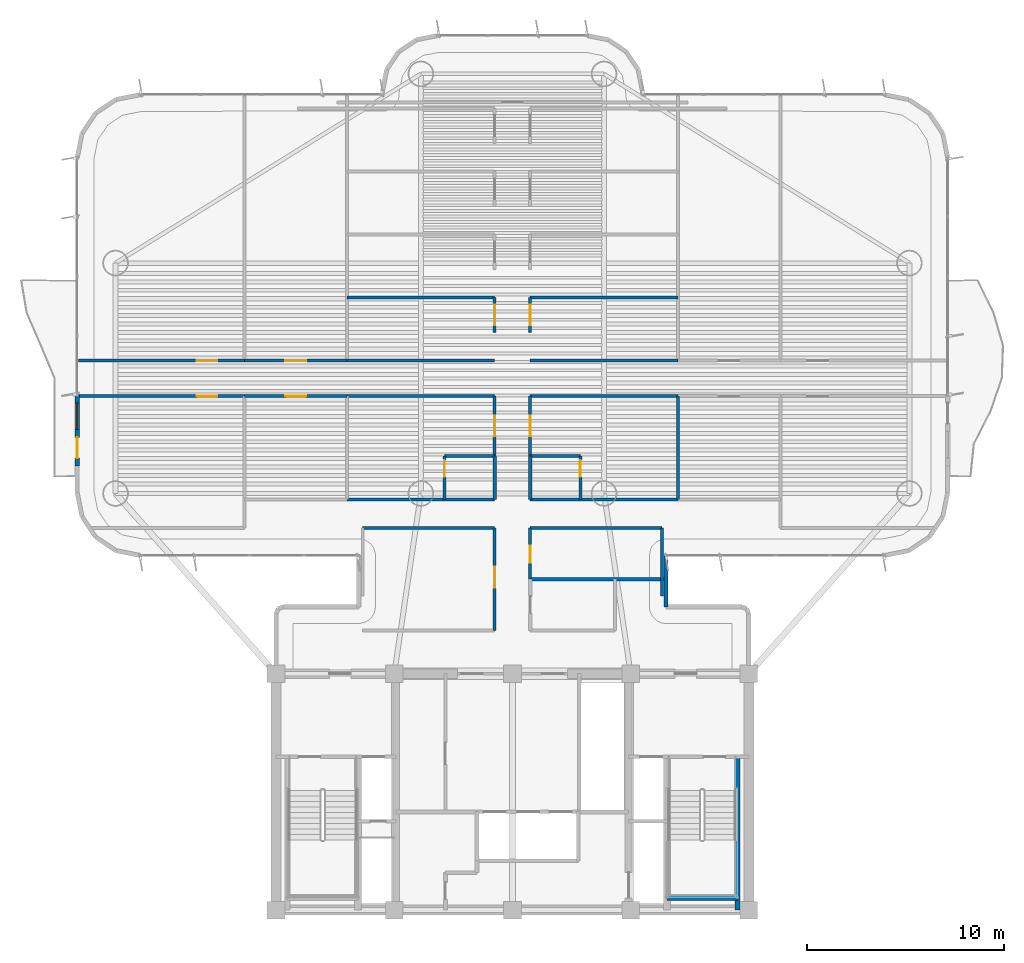
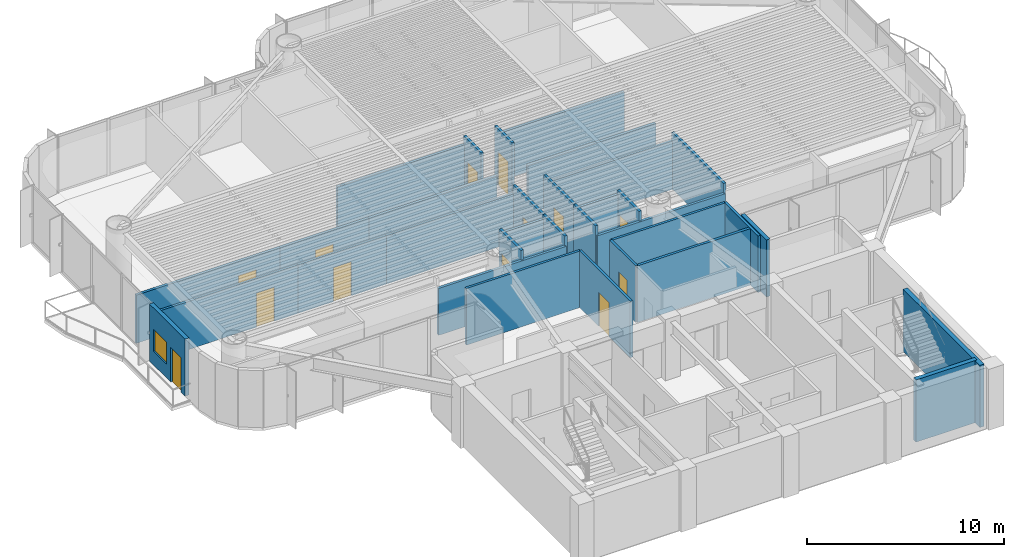
# One storey, part 10 of 16: 33 walls, 13 doors, 1 window, 14 openings.
"""IFC4 building model written with IfcOpenShell, lengths in metres."""

from ifc_helpers import new_model, si_unit, direction, frame, frame_2d, origin, origin_2d, place, context, subcontext, project, spatial, rectangle, extrude, source, transform, mapped, material, layer, layer_set, type_object, element, fill, save


model = new_model("IFC4")

# Units and contexts
model_context = context("Model", 3, precision=1e-05, world=origin(), true_north=direction((0.0, 1.0)))
body_context = subcontext(model_context, "Body", "Model", "MODEL_VIEW")
ifc_project = project(units=[si_unit("LENGTHUNIT", "METRE"), si_unit("AREAUNIT", "SQUARE_METRE"), si_unit("VOLUMEUNIT", "CUBIC_METRE"), si_unit("PLANEANGLEUNIT", "RADIAN"), si_unit("MASSUNIT", "GRAM", prefix="KILO")], contexts=[model_context])

# Site, building, storey
site_placement = place(None, origin())
site = spatial("IfcSite", under=ifc_project, at=site_placement, CompositionType="ELEMENT")
building_placement = place(site_placement, origin())
building = spatial("IfcBuilding", under=site, at=building_placement, Name="Brelvock Crest Care Tower", CompositionType="ELEMENT")
storey_placement = place(building_placement, frame((0.0, 0.0, 104.93994140625)))
storey = spatial("IfcBuildingStorey", under=building, at=storey_placement, Name="L26", CompositionType="ELEMENT", Elevation=104.93994140625)

# Walls
ifc_material_1 = material(Name="Concrete S80 (80 MPa)", Category="concrete")
ifc_layer_1 = layer(ifc_material_1, 0.25, Name="WL-CS6")
ifc_layer_set_1 = layer_set([ifc_layer_1], Name="Concrete S80 (80 MPa)")
wall_type_1 = type_object("IfcWallType", Name="WL-CS6", PredefinedType="SHEAR", material=ifc_layer_set_1)
wall_1_placement = place(storey_placement, frame((47.419921875, 6.0, 0.0), z_axis=(0.0, 0.0, 1.0), x_axis=(0.0, 1.0, 0.0)))
element("IfcWall", 1, at=wall_1_placement, inside=storey, type_object=wall_type_1, Name="L26 Core Stair ST-2 East Shear Wall", PredefinedType="SHEAR", context=body_context, shape_type="SweptSolid", body=[
    extrude(rectangle(XDim=7.780029296875, YDim=0.25, at=frame_2d((3.89013671875, 0.0))), origin(), (0.0, 0.0, 1.0), 3.85009765625),
])
wall_2_placement = place(storey_placement, frame((43.85009765625, 6.6201171875, 0.0), z_axis=(0.0, 0.0, 1.0), x_axis=(1.0, 0.0, 0.0)))
element("IfcWall", 2, at=wall_2_placement, inside=storey, type_object=wall_type_1, Name="L26 Core Stair ST-2 South Shear Wall", PredefinedType="SHEAR", context=body_context, shape_type="SweptSolid", body=[
    extrude(rectangle(XDim=3.56982421875, YDim=0.25, at=frame_2d((1.784912109375, 0.0))), origin(), (0.0, 0.0, 1.0), 3.85009765625),
])

# Wall, openings, door, window
ifc_material_2 = material(Name="Precast concrete N40 (40 MPa)", Category="concrete")
ifc_layer_2 = layer(ifc_material_2, 0.239990234375, Name="WL-EX1")
ifc_layer_set_2 = layer_set([ifc_layer_2], Name="Precast concrete N40 (40 MPa)")
wall_type_2 = type_object("IfcWallType", Name="WL-EX1", PredefinedType="SOLIDWALL", material=ifc_layer_set_2)
wall_3_placement = place(storey_placement, frame((13.89990234375, 28.550048828125, 0.0), z_axis=(0.0, 0.0, 1.0), x_axis=(0.0, 1.0, 0.0)))
wall_3 = element("IfcWall", 3, at=wall_3_placement, inside=storey, type_object=wall_type_2, Name="L26 Exterior Spandrel Wall WL-BAL-L26-W", PredefinedType="SOLIDWALL", context=body_context, shape_type="SweptSolid", body=[
    extrude(rectangle(XDim=3.599853515625, YDim=0.239990234375, at=frame_2d((1.7998046875, 0.0))), origin(), (0.0, 0.0, 1.0), 3.530029296875),
])
opening_1_placement = place(wall_3_placement, frame((0.39990234375, 0.0, 0.0)))
opening_1 = element("IfcOpeningElement", 4, at=opening_1_placement, cuts=wall_3, Name="Opening BD-1", PredefinedType="OPENING", context=body_context, shape_type="SweptSolid", body=[
    extrude(rectangle(XDim=1.050048828125, YDim=2.14990234375, at=origin_2d()), frame((0.52490234375, 0.1298828125, 1.074951171875), z_axis=(0.0, -1.0, 0.0), x_axis=(1.0, 0.0, 0.0)), (0.0, 0.0, 1.0), 0.260009765625),
])
opening_2_placement = place(wall_3_placement, frame((1.85009765625, 0.0, 0.85009765625)))
opening_2 = element("IfcOpeningElement", 5, at=opening_2_placement, cuts=wall_3, Name="Opening W-01", PredefinedType="OPENING", context=body_context, shape_type="SweptSolid", body=[
    extrude(rectangle(XDim=1.35009765625, YDim=1.35009765625, at=origin_2d()), frame((0.675048828125, 0.1298828125, 0.675048828125), z_axis=(0.0, -1.0, 0.0), x_axis=(1.0, 0.0, 0.0)), (0.0, 0.0, 1.0), 0.260009765625),
])
ifc_material_3 = material(Name="Dark Glass Double Glazed Low-E", Category="glass")
door_type_1 = type_object("IfcDoorType", Name="DR-BAL1", OperationType="NOTDEFINED", PredefinedType="DOOR", material=ifc_material_3)
shared_shape_1 = source(origin(), body_context, "Body", "SweptSolid", [
    extrude(rectangle(XDim=1.050048828125, YDim=2.14990234375, at=origin_2d()), frame((0.52490234375, 0.02490234375, 1.074951171875), z_axis=(0.0, -1.0, 0.0), x_axis=(1.0, 0.0, 0.0)), (0.0, 0.0, 1.0), 0.050048828125),
])
door_1_placement = place(opening_1_placement, origin())
door_1 = element("IfcDoor", 6, at=door_1_placement, inside=storey, type_object=door_type_1, Name="L26 W Wave Balcony Glazed Door", OperationType="SINGLE_SWING_LEFT", OverallHeight=2.14990234375, OverallWidth=1.050048828125, PredefinedType="DOOR", context=body_context, shape_type="MappedRepresentation", body=[
    mapped(shared_shape_1, transform((0.0, 0.0, 0.0), x_axis=(1.0, 0.0, 0.0), y_axis=(0.0, 1.0, 0.0), z_axis=(0.0, 0.0, 1.0), scale=1.0)),
])
fill(opening_1, door_1)
window_type = type_object("IfcWindowType", Name="WN-EX1", PartitioningType="SINGLE_PANEL", PredefinedType="WINDOW", material=ifc_material_3)
shared_shape_2 = source(origin(), body_context, "Body", "SweptSolid", [
    extrude(rectangle(XDim=1.35009765625, YDim=1.35009765625, at=origin_2d()), frame((0.675048828125, 0.030029296875, 0.675048828125), z_axis=(0.0, -1.0, 0.0), x_axis=(1.0, 0.0, 0.0)), (0.0, 0.0, 1.0), 0.06005859375),
])
window_placement = place(opening_2_placement, origin())
window = element("IfcWindow", 7, at=window_placement, inside=storey, type_object=window_type, Name="L26 W Suite Casement Window", OverallHeight=1.35009765625, OverallWidth=1.35009765625, PartitioningType="SINGLE_PANEL", PredefinedType="WINDOW", context=body_context, shape_type="MappedRepresentation", body=[
    mapped(shared_shape_2, transform((0.0, 0.0, 0.0), x_axis=(1.0, 0.0, 0.0), y_axis=(0.0, 1.0, 0.0), z_axis=(0.0, 0.0, 1.0), scale=1.0)),
])
fill(opening_2, window)

# Walls
ifc_layer_3 = layer(ifc_material_2, 0.215087890625, Name="WL-EX2")
ifc_layer_set_3 = layer_set([ifc_layer_3], Name="Precast concrete N40 (40 MPa)")
wall_type_3 = type_object("IfcWallType", Name="WL-EX2", PredefinedType="SOLIDWALL", material=ifc_layer_set_3)
wall_4_placement = place(storey_placement, frame((43.800048828125, 24.0, 0.0), z_axis=(0.0, 0.0, 1.0), x_axis=(0.0, -1.0, 0.0)))
element("IfcWall", 8, at=wall_4_placement, inside=storey, type_object=wall_type_3, Name="L26 Rounded Corner Wall 45", PredefinedType="SOLIDWALL", context=body_context, shape_type="SweptSolid", body=[
    extrude(rectangle(XDim=2.60009765625, YDim=0.215087890625, at=frame_2d((1.300048828125, 0.0))), origin(), (0.0, 0.0, 1.0), 3.530029296875),
])
ifc_material_4 = material(Name="Masonry Blockwork Acoustic Partition", Category="masonry")
ifc_layer_4 = layer(ifc_material_4, 0.14990234375, Name="WL-INT1")
ifc_layer_set_4 = layer_set([ifc_layer_4], Name="Masonry Blockwork Acoustic Partition")
wall_type_4 = type_object("IfcWallType", Name="WL-INT1", PredefinedType="PARTITIONING", material=ifc_layer_set_4)
for number, where, z_axis, x_axis, name in (
    (9, (28.39990234375, 25.39990234375, 0.0), (0.0, 0.0, 1.0), (1.0, 0.0, 0.0), "L26 Interior Wall WL-BX-L26-THW-N"),
    (10, (36.89990234375, 25.39990234375, 0.0), (0.0, 0.0, 1.0), (1.0, 0.0, 0.0), "L26 Interior Wall WL-BX-L26-THE2-N"),
):
    element("IfcWall", number, at=place(storey_placement, frame(where, z_axis=z_axis, x_axis=x_axis)), inside=storey, type_object=wall_type_4, Name=name, PredefinedType="PARTITIONING", context=body_context, shape_type="SweptSolid", body=[
        extrude(rectangle(XDim=6.7001953125, YDim=0.14990234375, at=frame_2d((3.35009765625, 0.0))), origin(), (0.0, 0.0, 1.0), 3.5),
    ])
for number, where, z_axis, x_axis, name in (
    (11, (27.60009765625, 26.85009765625, 0.0), (0.0, 0.0, 1.0), (1.0, 0.0, 0.0), "L26 Interior Wall WL-BX-L26-CS-ISWC-S"),
    (12, (36.89990234375, 26.85009765625, 0.0), (0.0, 0.0, 1.0), (1.0, 0.0, 0.0), "L26 Interior Wall WL-BX-L26-CS-ISEC-S"),
):
    element("IfcWall", number, at=place(storey_placement, frame(where, z_axis=z_axis, x_axis=x_axis)), inside=storey, type_object=wall_type_4, Name=name, PredefinedType="PARTITIONING", context=body_context, shape_type="SweptSolid", body=[
        extrude(rectangle(XDim=7.5, YDim=0.14990234375, at=frame_2d((3.75, 0.0))), origin(), (0.0, 0.0, 1.0), 2.903076171875),
    ])

# Wall, opening, door
wall_5_placement = place(storey_placement, frame((13.97998046875, 32.10009765625, 0.0), z_axis=(0.0, 0.0, 1.0), x_axis=(1.0, 0.0, 0.0)))
wall_5 = element("IfcWall", 13, at=wall_5_placement, inside=storey, type_object=wall_type_4, Name="L26 Interior Wall WL-RM-L26-SWB", PredefinedType="PARTITIONING", context=body_context, shape_type="SweptSolid", body=[
    extrude(rectangle(XDim=8.419921875, YDim=0.14990234375, at=frame_2d((4.2099609375, 0.0))), origin(), (0.0, 0.0, 1.0), 2.982177734375),
])
opening_3_placement = place(wall_5_placement, frame((5.9951171875, 0.0, 0.0)))
opening_3 = element("IfcOpeningElement", 14, at=opening_3_placement, cuts=wall_5, Name="Opening CD-1", PredefinedType="OPENING", context=body_context, shape_type="SweptSolid", body=[
    extrude(rectangle(XDim=1.050048828125, YDim=2.10009765625, at=origin_2d()), frame((0.52490234375, 0.0849609375, 1.050048828125), z_axis=(0.0, -1.0, 0.0), x_axis=(1.0, 0.0, 0.0)), (0.0, 0.0, 1.0), 0.169921875),
])
ifc_material_5 = material(Name="Engineered Hardwood Timber", Category="wood")
door_type_2 = type_object("IfcDoorType", Name="DR-CARE1", OperationType="NOTDEFINED", PredefinedType="DOOR", material=ifc_material_5)
shared_shape_3 = source(origin(), body_context, "Body", "SweptSolid", [
    extrude(rectangle(XDim=1.050048828125, YDim=2.10009765625, at=origin_2d()), frame((0.52490234375, 0.02490234375, 1.050048828125), z_axis=(0.0, -1.0, 0.0), x_axis=(1.0, 0.0, 0.0)), (0.0, 0.0, 1.0), 0.050048828125),
])
door_2_placement = place(opening_3_placement, origin())
door_2 = element("IfcDoor", 15, at=door_2_placement, inside=storey, type_object=door_type_2, Name="L26 Assisted Care Therapy Hall Door SWB", OperationType="SINGLE_SWING_LEFT", OverallHeight=2.10009765625, OverallWidth=1.050048828125, PredefinedType="DOOR", context=body_context, shape_type="MappedRepresentation", body=[
    mapped(shared_shape_3, transform((0.0, 0.0, 0.0), x_axis=(1.0, 0.0, 0.0), y_axis=(0.0, 1.0, 0.0), z_axis=(0.0, 0.0, 1.0), scale=1.0)),
])
fill(opening_3, door_2)

wall_6_placement = place(storey_placement, frame((22.39990234375, 32.10009765625, 0.0), z_axis=(0.0, 0.0, 1.0), x_axis=(1.0, 0.0, 0.0)))
wall_6 = element("IfcWall", 16, at=wall_6_placement, inside=storey, type_object=wall_type_4, Name="L26 Interior Wall WL-RM-L26-ISWD", PredefinedType="PARTITIONING", context=body_context, shape_type="SweptSolid", body=[
    extrude(rectangle(XDim=5.2001953125, YDim=0.14990234375, at=frame_2d((2.60009765625, 0.0))), origin(), (0.0, 0.0, 1.0), 2.982177734375),
])
opening_4_placement = place(wall_6_placement, frame((2.074951171875, 0.0, 0.0)))
opening_4 = element("IfcOpeningElement", 17, at=opening_4_placement, cuts=wall_6, Name="Opening CLD-1", PredefinedType="OPENING", context=body_context, shape_type="SweptSolid", body=[
    extrude(rectangle(XDim=1.050048828125, YDim=2.10009765625, at=origin_2d()), frame((0.52490234375, 0.0849609375, 1.050048828125), z_axis=(0.0, -1.0, 0.0), x_axis=(1.0, 0.0, 0.0)), (0.0, 0.0, 1.0), 0.169921875),
])
door_type_3 = type_object("IfcDoorType", Name="DR-CLN1", OperationType="NOTDEFINED", PredefinedType="DOOR", material=ifc_material_5)
shared_shape_4 = source(origin(), body_context, "Body", "SweptSolid", [
    extrude(rectangle(XDim=1.050048828125, YDim=2.10009765625, at=origin_2d()), frame((0.52490234375, 0.02490234375, 1.050048828125), z_axis=(0.0, -1.0, 0.0), x_axis=(1.0, 0.0, 0.0)), (0.0, 0.0, 1.0), 0.050048828125),
])
door_3_placement = place(opening_4_placement, origin())
door_3 = element("IfcDoor", 18, at=door_3_placement, inside=storey, type_object=door_type_3, Name="L26 Memory Care Activity Salon Door ISWD", OperationType="SINGLE_SWING_LEFT", OverallHeight=2.10009765625, OverallWidth=1.050048828125, PredefinedType="DOOR", context=body_context, shape_type="MappedRepresentation", body=[
    mapped(shared_shape_4, transform((0.0, 0.0, 0.0), x_axis=(1.0, 0.0, 0.0), y_axis=(0.0, 1.0, 0.0), z_axis=(0.0, 0.0, 1.0), scale=1.0)),
])
fill(opening_4, door_3)

# Walls
for number, where, z_axis, x_axis, name in (
    (19, (27.60009765625, 32.10009765625, 0.0), (0.0, 0.0, 1.0), (1.0, 0.0, 0.0), "L26 Interior Wall WL-BX-L26-CS-ISWC-N"),
    (20, (36.89990234375, 32.10009765625, 0.0), (0.0, 0.0, 1.0), (1.0, 0.0, 0.0), "L26 Interior Wall WL-BX-L26-CS-ISEC-N"),
):
    element("IfcWall", number, at=place(storey_placement, frame(where, z_axis=z_axis, x_axis=x_axis)), inside=storey, type_object=wall_type_4, Name=name, PredefinedType="PARTITIONING", context=body_context, shape_type="SweptSolid", body=[
        extrude(rectangle(XDim=7.5, YDim=0.14990234375, at=frame_2d((3.75, 0.0))), origin(), (0.0, 0.0, 1.0), 2.982177734375),
    ])

# Wall, opening, door
wall_7_placement = place(storey_placement, frame((13.97998046875, 33.89990234375, 0.0), z_axis=(0.0, 0.0, 1.0), x_axis=(1.0, 0.0, 0.0)))
wall_7 = element("IfcWall", 21, at=wall_7_placement, inside=storey, type_object=wall_type_4, Name="L26 Interior Wall WL-RM-L26-NWB", PredefinedType="PARTITIONING", context=body_context, shape_type="SweptSolid", body=[
    extrude(rectangle(XDim=8.419921875, YDim=0.14990234375, at=frame_2d((4.2099609375, 0.0))), origin(), (0.0, 0.0, 1.0), 2.982177734375),
])
opening_5_placement = place(wall_7_placement, frame((5.9951171875, 0.0, 0.0)))
opening_5 = element("IfcOpeningElement", 22, at=opening_5_placement, cuts=wall_7, Name="Opening CD-1", PredefinedType="OPENING", context=body_context, shape_type="SweptSolid", body=[
    extrude(rectangle(XDim=1.050048828125, YDim=2.10009765625, at=origin_2d()), frame((0.52490234375, 0.0849609375, 1.050048828125), z_axis=(0.0, -1.0, 0.0), x_axis=(1.0, 0.0, 0.0)), (0.0, 0.0, 1.0), 0.169921875),
])
door_4_placement = place(opening_5_placement, origin())
door_4 = element("IfcDoor", 23, at=door_4_placement, inside=storey, type_object=door_type_2, Name="L26 Assisted Care Therapy Hall Door NWB", OperationType="SINGLE_SWING_LEFT", OverallHeight=2.10009765625, OverallWidth=1.050048828125, PredefinedType="DOOR", context=body_context, shape_type="MappedRepresentation", body=[
    mapped(shared_shape_3, transform((0.0, 0.0, 0.0), x_axis=(1.0, 0.0, 0.0), y_axis=(0.0, 1.0, 0.0), z_axis=(0.0, 0.0, 1.0), scale=1.0)),
])
fill(opening_5, door_4)

wall_8_placement = place(storey_placement, frame((22.39990234375, 33.89990234375, 0.0), z_axis=(0.0, 0.0, 1.0), x_axis=(1.0, 0.0, 0.0)))
wall_8 = element("IfcWall", 24, at=wall_8_placement, inside=storey, type_object=wall_type_4, Name="L26 Interior Wall WL-RM-L26-INWD", PredefinedType="PARTITIONING", context=body_context, shape_type="SweptSolid", body=[
    extrude(rectangle(XDim=5.2001953125, YDim=0.14990234375, at=frame_2d((2.60009765625, 0.0))), origin(), (0.0, 0.0, 1.0), 2.982177734375),
])
opening_6_placement = place(wall_8_placement, frame((2.074951171875, 0.0, 0.0)))
opening_6 = element("IfcOpeningElement", 25, at=opening_6_placement, cuts=wall_8, Name="Opening CLD-1", PredefinedType="OPENING", context=body_context, shape_type="SweptSolid", body=[
    extrude(rectangle(XDim=1.050048828125, YDim=2.10009765625, at=origin_2d()), frame((0.52490234375, 0.0849609375, 1.050048828125), z_axis=(0.0, -1.0, 0.0), x_axis=(1.0, 0.0, 0.0)), (0.0, 0.0, 1.0), 0.169921875),
])
door_5_placement = place(opening_6_placement, origin())
door_5 = element("IfcDoor", 26, at=door_5_placement, inside=storey, type_object=door_type_3, Name="L26 Memory Care Activity Salon Door INWD", OperationType="SINGLE_SWING_LEFT", OverallHeight=2.10009765625, OverallWidth=1.050048828125, PredefinedType="DOOR", context=body_context, shape_type="MappedRepresentation", body=[
    mapped(shared_shape_4, transform((0.0, 0.0, 0.0), x_axis=(1.0, 0.0, 0.0), y_axis=(0.0, 1.0, 0.0), z_axis=(0.0, 0.0, 1.0), scale=1.0)),
])
fill(opening_6, door_5)

# Walls
for number, where, z_axis, x_axis, name in (
    (27, (27.60009765625, 33.89990234375, 0.0), (0.0, 0.0, 1.0), (1.0, 0.0, 0.0), "L26 Interior Wall WL-BX-L26-CS-INWCAA-S"),
    (28, (36.89990234375, 33.89990234375, 0.0), (0.0, 0.0, 1.0), (1.0, 0.0, 0.0), "L26 Interior Wall WL-BX-L26-CS-INECAA-S"),
    (29, (27.60009765625, 37.10009765625, 0.0), (0.0, 0.0, 1.0), (1.0, 0.0, 0.0), "L26 Interior Wall WL-BX-L26-CS-INWCAA-N"),
    (30, (36.89990234375, 37.10009765625, 0.0), (0.0, 0.0, 1.0), (1.0, 0.0, 0.0), "L26 Interior Wall WL-BX-L26-CS-INECAA-N"),
):
    element("IfcWall", number, at=place(storey_placement, frame(where, z_axis=z_axis, x_axis=x_axis)), inside=storey, type_object=wall_type_4, Name=name, PredefinedType="PARTITIONING", context=body_context, shape_type="SweptSolid", body=[
        extrude(rectangle(XDim=7.5, YDim=0.14990234375, at=frame_2d((3.75, 0.0))), origin(), (0.0, 0.0, 1.0), 2.982177734375),
    ])

# Wall, opening, door
wall_9_placement = place(storey_placement, frame((35.10009765625, 20.199951171875, 0.0), z_axis=(0.0, 0.0, 1.0), x_axis=(0.0, 1.0, 0.0)))
wall_9 = element("IfcWall", 31, at=wall_9_placement, inside=storey, type_object=wall_type_4, Name="L26 Interior Wall WL-RM-L26-THW", PredefinedType="PARTITIONING", context=body_context, shape_type="SweptSolid", body=[
    extrude(rectangle(XDim=5.199951171875, YDim=0.14990234375, at=frame_2d((2.60009765625, 0.0))), origin(), (0.0, 0.0, 1.0), 3.5),
])
opening_7_placement = place(wall_9_placement, frame((2.175048828125, 0.0, 0.0)))
opening_7 = element("IfcOpeningElement", 32, at=opening_7_placement, cuts=wall_9, Name="Opening CLD-1", PredefinedType="OPENING", context=body_context, shape_type="SweptSolid", body=[
    extrude(rectangle(XDim=1.050048828125, YDim=2.10009765625, at=origin_2d()), frame((0.52490234375, 0.0849609375, 1.050048828125), z_axis=(0.0, -1.0, 0.0), x_axis=(1.0, 0.0, 0.0)), (0.0, 0.0, 1.0), 0.169921875),
])
door_6_placement = place(opening_7_placement, origin())
door_6 = element("IfcDoor", 33, at=door_6_placement, inside=storey, type_object=door_type_3, Name="L26 Allied Health Consultation Room Door THW", OperationType="SINGLE_SWING_LEFT", OverallHeight=2.10009765625, OverallWidth=1.050048828125, PredefinedType="DOOR", context=body_context, shape_type="MappedRepresentation", body=[
    mapped(shared_shape_4, transform((0.0, 0.0, 0.0), x_axis=(1.0, 0.0, 0.0), y_axis=(0.0, 1.0, 0.0), z_axis=(0.0, 0.0, 1.0), scale=1.0)),
])
fill(opening_7, door_6)

wall_10_placement = place(storey_placement, frame((35.10009765625, 29.054931640625, 0.0), z_axis=(0.0, 0.0, 1.0), x_axis=(0.0, 1.0, 0.0)))
wall_10 = element("IfcWall", 34, at=wall_10_placement, inside=storey, type_object=wall_type_4, Name="L26 Interior Wall WL-CENT-L26-ISWC", PredefinedType="PARTITIONING", context=body_context, shape_type="SweptSolid", body=[
    extrude(rectangle(XDim=3.045166015625, YDim=0.14990234375, at=frame_2d((1.5224609375, 0.0))), origin(), (0.0, 0.0, 1.0), 3.5),
])
opening_8_placement = place(wall_10_placement, frame((1.0029296875, 0.0, 0.0)))
opening_8 = element("IfcOpeningElement", 35, at=opening_8_placement, cuts=wall_10, Name="Opening CD-1", PredefinedType="OPENING", context=body_context, shape_type="SweptSolid", body=[
    extrude(rectangle(XDim=1.050048828125, YDim=2.10009765625, at=origin_2d()), frame((0.52490234375, 0.0849609375, 1.050048828125), z_axis=(0.0, -1.0, 0.0), x_axis=(1.0, 0.0, 0.0)), (0.0, 0.0, 1.0), 0.169921875),
])
door_7_placement = place(opening_8_placement, origin())
door_7 = element("IfcDoor", 36, at=door_7_placement, inside=storey, type_object=door_type_2, Name="L26 Care Suite Door ISWC", OperationType="SINGLE_SWING_LEFT", OverallHeight=2.10009765625, OverallWidth=1.050048828125, PredefinedType="DOOR", context=body_context, shape_type="MappedRepresentation", body=[
    mapped(shared_shape_3, transform((0.0, 0.0, 0.0), x_axis=(1.0, 0.0, 0.0), y_axis=(0.0, 1.0, 0.0), z_axis=(0.0, 0.0, 1.0), scale=1.0)),
])
fill(opening_8, door_7)

wall_11_placement = place(storey_placement, frame((35.10009765625, 35.320068359375, 0.0), z_axis=(0.0, 0.0, 1.0), x_axis=(0.0, 1.0, 0.0)))
wall_11 = element("IfcWall", 37, at=wall_11_placement, inside=storey, type_object=wall_type_4, Name="L26 Interior Wall WL-CENT-L26-INWCAA", PredefinedType="PARTITIONING", context=body_context, shape_type="SweptSolid", body=[
    extrude(rectangle(XDim=1.780029296875, YDim=0.14990234375, at=frame_2d((0.89013671875, 0.0))), origin(), (0.0, 0.0, 1.0), 3.5),
])
opening_9_placement = place(wall_11_placement, frame((0.3701171875, 0.0, 0.0)))
opening_9 = element("IfcOpeningElement", 38, at=opening_9_placement, cuts=wall_11, Name="Opening CD-1", PredefinedType="OPENING", context=body_context, shape_type="SweptSolid", body=[
    extrude(rectangle(XDim=1.050048828125, YDim=2.10009765625, at=origin_2d()), frame((0.52490234375, 0.0849609375, 1.050048828125), z_axis=(0.0, -1.0, 0.0), x_axis=(1.0, 0.0, 0.0)), (0.0, 0.0, 1.0), 0.169921875),
])
door_8_placement = place(opening_9_placement, origin())
door_8 = element("IfcDoor", 39, at=door_8_placement, inside=storey, type_object=door_type_2, Name="L26 Care Suite Door INWCAA", OperationType="SINGLE_SWING_LEFT", OverallHeight=2.10009765625, OverallWidth=1.050048828125, PredefinedType="DOOR", context=body_context, shape_type="MappedRepresentation", body=[
    mapped(shared_shape_3, transform((0.0, 0.0, 0.0), x_axis=(1.0, 0.0, 0.0), y_axis=(0.0, 1.0, 0.0), z_axis=(0.0, 0.0, 1.0), scale=1.0)),
])
fill(opening_9, door_8)

wall_12_placement = place(storey_placement, frame((36.89990234375, 22.800048828125, 0.0), z_axis=(0.0, 0.0, 1.0), x_axis=(0.0, 1.0, 0.0)))
wall_12 = element("IfcWall", 40, at=wall_12_placement, inside=storey, type_object=wall_type_4, Name="L26 Interior Wall WL-RM-L26-THE2", PredefinedType="PARTITIONING", context=body_context, shape_type="SweptSolid", body=[
    extrude(rectangle(XDim=2.599853515625, YDim=0.14990234375, at=frame_2d((1.2998046875, 0.0))), origin(), (0.0, 0.0, 1.0), 3.5),
])
opening_10_placement = place(wall_12_placement, frame((0.840087890625, 0.0, 0.0)))
opening_10 = element("IfcOpeningElement", 41, at=opening_10_placement, cuts=wall_12, Name="Opening ID-1", PredefinedType="OPENING", context=body_context, shape_type="SweptSolid", body=[
    extrude(rectangle(XDim=0.860107421875, YDim=2.10009765625, at=origin_2d()), frame((0.43017578125, 0.0849609375, 1.050048828125), z_axis=(0.0, -1.0, 0.0), x_axis=(1.0, 0.0, 0.0)), (0.0, 0.0, 1.0), 0.169921875),
])
door_type_4 = type_object("IfcDoorType", Name="DR-INT1", OperationType="NOTDEFINED", PredefinedType="DOOR", material=ifc_material_5)
shared_shape_5 = source(origin(), body_context, "Body", "SweptSolid", [
    extrude(rectangle(XDim=0.860107421875, YDim=2.10009765625, at=origin_2d()), frame((0.43017578125, 0.02490234375, 1.050048828125), z_axis=(0.0, -1.0, 0.0), x_axis=(1.0, 0.0, 0.0)), (0.0, 0.0, 1.0), 0.050048828125),
])
door_9_placement = place(opening_10_placement, origin())
door_9 = element("IfcDoor", 42, at=door_9_placement, inside=storey, type_object=door_type_4, Name="L26 Care Coordinator Office Door THE2", OperationType="SINGLE_SWING_LEFT", OverallHeight=2.10009765625, OverallWidth=0.860107421875, PredefinedType="DOOR", context=body_context, shape_type="MappedRepresentation", body=[
    mapped(shared_shape_5, transform((0.0, 0.0, 0.0), x_axis=(1.0, 0.0, 0.0), y_axis=(0.0, 1.0, 0.0), z_axis=(0.0, 0.0, 1.0), scale=1.0)),
])
fill(opening_10, door_9)

wall_13_placement = place(storey_placement, frame((36.89990234375, 29.054931640625, 0.0), z_axis=(0.0, 0.0, 1.0), x_axis=(0.0, 1.0, 0.0)))
wall_13 = element("IfcWall", 43, at=wall_13_placement, inside=storey, type_object=wall_type_4, Name="L26 Interior Wall WL-CENT-L26-ISEC", PredefinedType="PARTITIONING", context=body_context, shape_type="SweptSolid", body=[
    extrude(rectangle(XDim=3.045166015625, YDim=0.14990234375, at=frame_2d((1.5224609375, 0.0))), origin(), (0.0, 0.0, 1.0), 3.5),
])
opening_11_placement = place(wall_13_placement, frame((1.0029296875, 0.0, 0.0)))
opening_11 = element("IfcOpeningElement", 44, at=opening_11_placement, cuts=wall_13, Name="Opening CD-1", PredefinedType="OPENING", context=body_context, shape_type="SweptSolid", body=[
    extrude(rectangle(XDim=1.050048828125, YDim=2.10009765625, at=origin_2d()), frame((0.52490234375, 0.0849609375, 1.050048828125), z_axis=(0.0, -1.0, 0.0), x_axis=(1.0, 0.0, 0.0)), (0.0, 0.0, 1.0), 0.169921875),
])
door_10_placement = place(opening_11_placement, origin())
door_10 = element("IfcDoor", 45, at=door_10_placement, inside=storey, type_object=door_type_2, Name="L26 Care Suite Door ISEC", OperationType="SINGLE_SWING_LEFT", OverallHeight=2.10009765625, OverallWidth=1.050048828125, PredefinedType="DOOR", context=body_context, shape_type="MappedRepresentation", body=[
    mapped(shared_shape_3, transform((0.0, 0.0, 0.0), x_axis=(1.0, 0.0, 0.0), y_axis=(0.0, 1.0, 0.0), z_axis=(0.0, 0.0, 1.0), scale=1.0)),
])
fill(opening_11, door_10)

wall_14_placement = place(storey_placement, frame((36.89990234375, 35.320068359375, 0.0), z_axis=(0.0, 0.0, 1.0), x_axis=(0.0, 1.0, 0.0)))
wall_14 = element("IfcWall", 46, at=wall_14_placement, inside=storey, type_object=wall_type_4, Name="L26 Interior Wall WL-CENT-L26-INECAA", PredefinedType="PARTITIONING", context=body_context, shape_type="SweptSolid", body=[
    extrude(rectangle(XDim=1.780029296875, YDim=0.14990234375, at=frame_2d((0.89013671875, 0.0))), origin(), (0.0, 0.0, 1.0), 3.5),
])
opening_12_placement = place(wall_14_placement, frame((0.3701171875, 0.0, 0.0)))
opening_12 = element("IfcOpeningElement", 47, at=opening_12_placement, cuts=wall_14, Name="Opening CD-1", PredefinedType="OPENING", context=body_context, shape_type="SweptSolid", body=[
    extrude(rectangle(XDim=1.050048828125, YDim=2.10009765625, at=origin_2d()), frame((0.52490234375, 0.0849609375, 1.050048828125), z_axis=(0.0, -1.0, 0.0), x_axis=(1.0, 0.0, 0.0)), (0.0, 0.0, 1.0), 0.169921875),
])
door_11_placement = place(opening_12_placement, origin())
door_11 = element("IfcDoor", 48, at=door_11_placement, inside=storey, type_object=door_type_2, Name="L26 Care Suite Door INECAA", OperationType="SINGLE_SWING_LEFT", OverallHeight=2.10009765625, OverallWidth=1.050048828125, PredefinedType="DOOR", context=body_context, shape_type="MappedRepresentation", body=[
    mapped(shared_shape_3, transform((0.0, 0.0, 0.0), x_axis=(1.0, 0.0, 0.0), y_axis=(0.0, 1.0, 0.0), z_axis=(0.0, 0.0, 1.0), scale=1.0)),
])
fill(opening_12, door_11)

# Walls
wall_15_placement = place(storey_placement, frame((43.60009765625, 21.95751953125, 0.0), z_axis=(0.0, 0.0, 1.0), x_axis=(0.0, 1.0, 0.0)))
element("IfcWall", 49, at=wall_15_placement, inside=storey, type_object=wall_type_4, Name="L26 Interior Wall WL-BX-L26-THE2-E", PredefinedType="PARTITIONING", context=body_context, shape_type="SweptSolid", body=[
    extrude(rectangle(XDim=3.4423828125, YDim=0.14990234375, at=frame_2d((1.72119140625, 0.0))), origin(), (0.0, 0.0, 1.0), 3.5),
])
wall_16_placement = place(storey_placement, frame((44.39990234375, 26.85009765625, 0.0), z_axis=(0.0, 0.0, 1.0), x_axis=(0.0, 1.0, 0.0)))
element("IfcWall", 50, at=wall_16_placement, inside=storey, type_object=wall_type_4, Name="L26 Interior Wall WL-BX-L26-CS-ISEC-E", PredefinedType="PARTITIONING", context=body_context, shape_type="SweptSolid", body=[
    extrude(rectangle(XDim=5.25, YDim=0.14990234375, at=frame_2d((2.625, 0.0))), origin(), (0.0, 0.0, 1.0), 3.5),
])
ifc_material_6 = material(Name="Gypsum Plasterboard Partition", Category="gypsum")
ifc_layer_5 = layer(ifc_material_6, 0.159912109375, Name="WL-PLM1")
ifc_layer_set_5 = layer_set([ifc_layer_5], Name="Gypsum Plasterboard Partition")
wall_type_5 = type_object("IfcWallType", Name="WL-PLM1", PredefinedType="PLUMBINGWALL", material=ifc_layer_set_5)
wall_17_placement = place(storey_placement, frame((36.89990234375, 22.800048828125, 0.0), z_axis=(0.0, 0.0, 1.0), x_axis=(1.0, 0.0, 0.0)))
element("IfcWall", 51, at=wall_17_placement, inside=storey, type_object=wall_type_5, Name="L26 Interior Wall WL-BX-L26-THE2-S", PredefinedType="PLUMBINGWALL", context=body_context, shape_type="SweptSolid", body=[
    extrude(rectangle(XDim=6.820068359375, YDim=0.159912109375, at=frame_2d((3.41015625, 0.0))), origin(), (0.0, 0.0, 1.0), 3.5),
])
for number, where, z_axis, x_axis, name in (
    (52, (32.550048828125, 29.054931640625, 0.0), (0.0, 0.0, 1.0), (1.0, 0.0, 0.0), "L26 Interior Wall WL-CENS2-L26-ISWC"),
    (53, (36.89990234375, 29.054931640625, 0.0), (0.0, 0.0, 1.0), (1.0, 0.0, 0.0), "L26 Interior Wall WL-CENS2-L26-ISEC"),
):
    element("IfcWall", number, at=place(storey_placement, frame(where, z_axis=z_axis, x_axis=x_axis)), inside=storey, type_object=wall_type_5, Name=name, PredefinedType="PLUMBINGWALL", context=body_context, shape_type="SweptSolid", body=[
        extrude(rectangle(XDim=2.550048828125, YDim=0.159912109375, at=frame_2d((1.27490234375, 0.0))), origin(), (0.0, 0.0, 1.0), 3.259033203125),
    ])

# Wall, opening, door
wall_18_placement = place(storey_placement, frame((32.550048828125, 26.85009765625, 0.0), z_axis=(0.0, 0.0, 1.0), x_axis=(0.0, 1.0, 0.0)))
wall_18 = element("IfcWall", 54, at=wall_18_placement, inside=storey, type_object=wall_type_5, Name="L26 Interior Wall WL-CENS1-L26-ISWC", PredefinedType="PLUMBINGWALL", context=body_context, shape_type="SweptSolid", body=[
    extrude(rectangle(XDim=2.204833984375, YDim=0.159912109375, at=frame_2d((1.1025390625, 0.0))), origin(), (0.0, 0.0, 1.0), 3.5),
])
opening_13_placement = place(wall_18_placement, frame((1.139892578125, 0.0, 0.0)))
opening_13 = element("IfcOpeningElement", 55, at=opening_13_placement, cuts=wall_18, Name="Opening WD-1", PredefinedType="OPENING", context=body_context, shape_type="SweptSolid", body=[
    extrude(rectangle(XDim=0.860107421875, YDim=2.10009765625, at=origin_2d()), frame((0.43017578125, 0.08984375, 1.050048828125), z_axis=(0.0, -1.0, 0.0), x_axis=(1.0, 0.0, 0.0)), (0.0, 0.0, 1.0), 0.179931640625),
])
door_type_5 = type_object("IfcDoorType", Name="DR-WC1", OperationType="NOTDEFINED", PredefinedType="DOOR", material=ifc_material_5)
shared_shape_6 = source(origin(), body_context, "Body", "SweptSolid", [
    extrude(rectangle(XDim=0.860107421875, YDim=2.10009765625, at=origin_2d()), frame((0.43017578125, 0.02490234375, 1.050048828125), z_axis=(0.0, -1.0, 0.0), x_axis=(1.0, 0.0, 0.0)), (0.0, 0.0, 1.0), 0.050048828125),
])
door_12_placement = place(opening_13_placement, origin())
door_12 = element("IfcDoor", 56, at=door_12_placement, inside=storey, type_object=door_type_5, Name="L26 Care En-Suite Door ISWC", OperationType="SINGLE_SWING_LEFT", OverallHeight=2.10009765625, OverallWidth=0.860107421875, PredefinedType="DOOR", context=body_context, shape_type="MappedRepresentation", body=[
    mapped(shared_shape_6, transform((0.0, 0.0, 0.0), x_axis=(1.0, 0.0, 0.0), y_axis=(0.0, 1.0, 0.0), z_axis=(0.0, 0.0, 1.0), scale=1.0)),
])
fill(opening_13, door_12)

# Walls
for number, where, z_axis, x_axis, name in (
    (57, (35.10009765625, 26.85009765625, 0.0), (0.0, 0.0, 1.0), (0.0, 1.0, 0.0), "L26 Interior Wall WL-CENS0-L26-ISWC"),
    (58, (36.89990234375, 26.85009765625, 0.0), (0.0, 0.0, 1.0), (0.0, 1.0, 0.0), "L26 Interior Wall WL-CENS0-L26-ISEC"),
):
    element("IfcWall", number, at=place(storey_placement, frame(where, z_axis=z_axis, x_axis=x_axis)), inside=storey, type_object=wall_type_5, Name=name, PredefinedType="PLUMBINGWALL", context=body_context, shape_type="SweptSolid", body=[
        extrude(rectangle(XDim=2.204833984375, YDim=0.159912109375, at=frame_2d((1.1025390625, 0.0))), origin(), (0.0, 0.0, 1.0), 3.5),
    ])

# Wall, opening, door
wall_19_placement = place(storey_placement, frame((39.449951171875, 26.85009765625, 0.0), z_axis=(0.0, 0.0, 1.0), x_axis=(0.0, 1.0, 0.0)))
wall_19 = element("IfcWall", 59, at=wall_19_placement, inside=storey, type_object=wall_type_5, Name="L26 Interior Wall WL-CENS1-L26-ISEC", PredefinedType="PLUMBINGWALL", context=body_context, shape_type="SweptSolid", body=[
    extrude(rectangle(XDim=2.204833984375, YDim=0.159912109375, at=frame_2d((1.1025390625, 0.0))), origin(), (0.0, 0.0, 1.0), 3.5),
])
opening_14_placement = place(wall_19_placement, frame((1.139892578125, 0.0, 0.0)))
opening_14 = element("IfcOpeningElement", 60, at=opening_14_placement, cuts=wall_19, Name="Opening WD-1", PredefinedType="OPENING", context=body_context, shape_type="SweptSolid", body=[
    extrude(rectangle(XDim=0.860107421875, YDim=2.10009765625, at=origin_2d()), frame((0.43017578125, 0.08984375, 1.050048828125), z_axis=(0.0, -1.0, 0.0), x_axis=(1.0, 0.0, 0.0)), (0.0, 0.0, 1.0), 0.179931640625),
])
door_13_placement = place(opening_14_placement, origin())
door_13 = element("IfcDoor", 61, at=door_13_placement, inside=storey, type_object=door_type_5, Name="L26 Care En-Suite Door ISEC", OperationType="SINGLE_SWING_RIGHT", OverallHeight=2.10009765625, OverallWidth=0.860107421875, PredefinedType="DOOR", context=body_context, shape_type="MappedRepresentation", body=[
    mapped(shared_shape_6, transform((0.0, 0.0, 0.0), x_axis=(1.0, 0.0, 0.0), y_axis=(0.0, 1.0, 0.0), z_axis=(0.0, 0.0, 1.0), scale=1.0)),
])
fill(opening_14, door_13)

save(model, "model.ifc")
